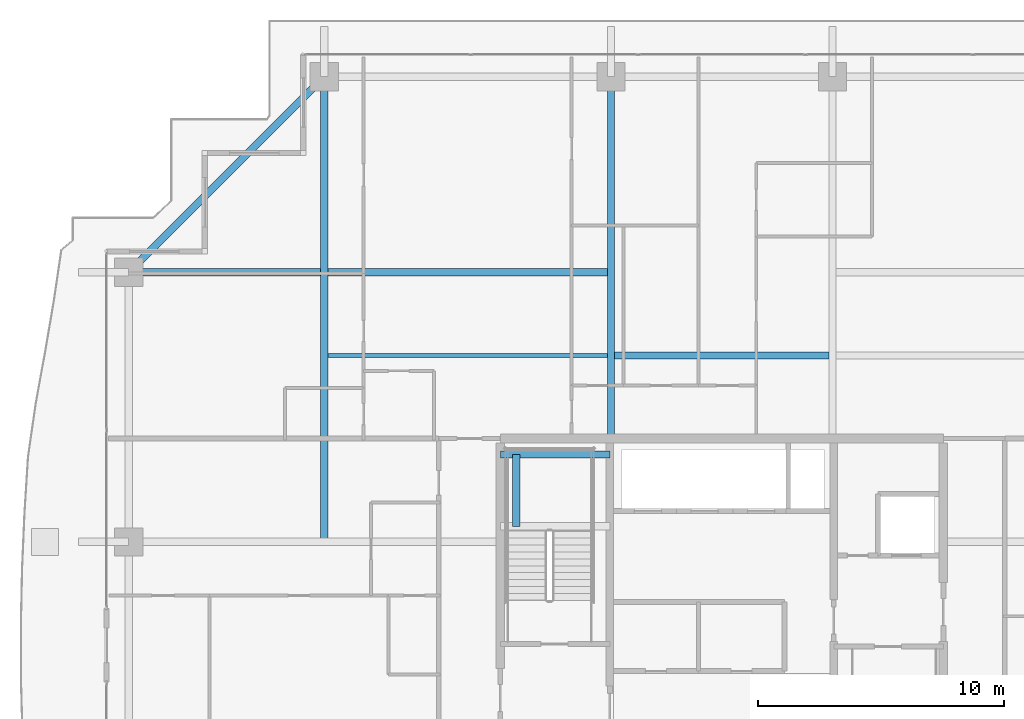
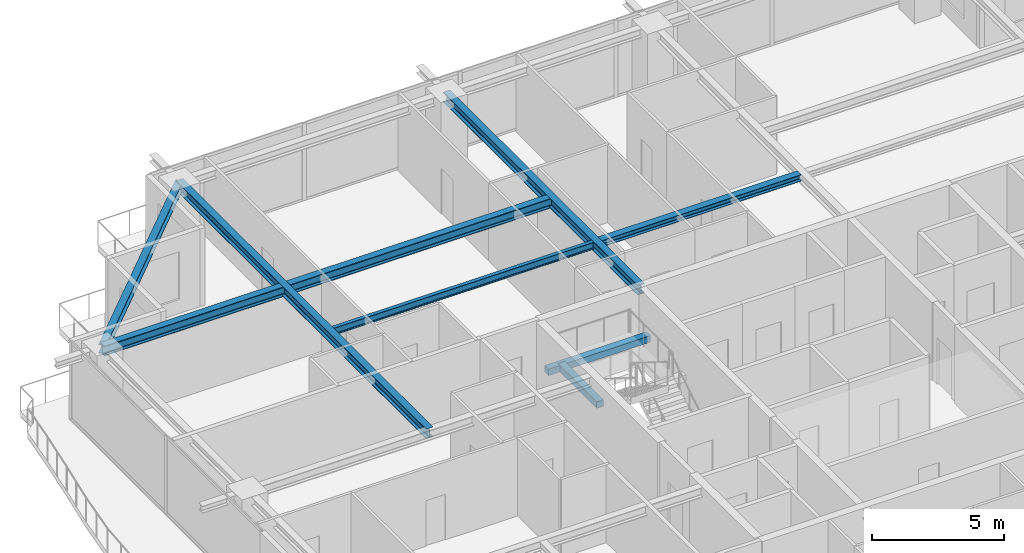
# One storey, part 18 of 36: 8 beams.
"""IFC4 building model written with IfcOpenShell, lengths in metres."""

from ifc_helpers import new_model, si_unit, direction, frame, origin, origin_2d, place, context, subcontext, project, spatial, rectangle, i_section, extrude, source, transform, mapped, material, material_profile, profile_set, type_object, element, save


model = new_model("IFC4")

# Units and contexts
model_context = context("Model", 3, precision=1e-05, world=origin(), true_north=direction((0.0, 1.0)))
body_context = subcontext(model_context, "Body", "Model", "MODEL_VIEW")
ifc_project = project(units=[si_unit("LENGTHUNIT", "METRE"), si_unit("AREAUNIT", "SQUARE_METRE"), si_unit("VOLUMEUNIT", "CUBIC_METRE"), si_unit("PLANEANGLEUNIT", "RADIAN"), si_unit("MASSUNIT", "GRAM", prefix="KILO")], contexts=[model_context])

# Site, building, storey
site_placement = place(None, origin())
site = spatial("IfcSite", under=ifc_project, at=site_placement, CompositionType="ELEMENT")
building_placement = place(site_placement, origin())
building = spatial("IfcBuilding", under=site, at=building_placement, Name="Serunith Strait Residences", CompositionType="ELEMENT")
storey_placement = place(building_placement, frame((0.0, 0.0, 225.85009765625)))
storey = spatial("IfcBuildingStorey", under=building, at=storey_placement, Name="L56", CompositionType="ELEMENT", Elevation=225.85009765625)

# Beams
ifc_material_1 = material(Name="Steel S355J2", Category="steel")
ifc_material_profile_1 = material_profile(ifc_material_1, i_section(OverallWidth=0.300048828125, OverallDepth=0.300048828125, WebThickness=0.010986328125, FlangeThickness=0.01904296875, FilletRadius=0.027099609375, at=origin_2d()), Name="HEB 300")
ifc_profile_set_1 = profile_set([ifc_material_profile_1], Name="Steel S355J2")
beam_type_1 = type_object("IfcBeamType", Name="BM-HEB300", PredefinedType="JOIST", material=ifc_profile_set_1)
shared_shape_1 = source(origin(), body_context, "Body", "SweptSolid", [
    extrude(i_section(OverallWidth=0.300048828125, OverallDepth=0.300048828125, WebThickness=0.010986328125, FlangeThickness=0.01904296875, FilletRadius=0.027099609375, at=origin_2d()), origin(), (0.0, 0.0, 1.0), 8.699951171875),
])
beam_1_placement = place(storey_placement, frame((28.050048828125, 36.97509765625, 3.43701171875), z_axis=(1.0, 0.0, 0.0), x_axis=(0.0, 1.0, 0.0)))
element("IfcBeam", 1, at=beam_1_placement, inside=storey, type_object=beam_type_1, Name="L56 Composite Floor Joist 05", PredefinedType="JOIST", context=body_context, shape_type="MappedRepresentation", body=[
    mapped(shared_shape_1, transform((0.0, 0.0, 0.0), scale=1.0)),
])
ifc_material_profile_2 = material_profile(ifc_material_1, i_section(OverallWidth=0.300048828125, OverallDepth=0.449951171875, WebThickness=0.013916015625, FlangeThickness=0.02587890625, FilletRadius=0.027099609375, at=origin_2d()), Name="HEB 450")
ifc_profile_set_2 = profile_set([ifc_material_profile_2], Name="Steel S355J2")
beam_type_2 = type_object("IfcBeamType", Name="BM-HEB450", PredefinedType="BEAM", material=ifc_profile_set_2)
shared_shape_2 = source(origin(), body_context, "Body", "SweptSolid", [
    extrude(i_section(OverallWidth=0.300048828125, OverallDepth=0.449951171875, WebThickness=0.013916015625, FlangeThickness=0.02587890625, FilletRadius=0.027099609375, at=origin_2d()), origin(), (0.0, 0.0, 1.0), 14.699951171875),
])
beam_2_placement = place(storey_placement, frame((27.89990234375, 33.60009765625, 3.36181640625), z_axis=(0.0, 1.0, 0.0), x_axis=(-1.0, 0.0, 0.0)))
element("IfcBeam", 2, at=beam_2_placement, inside=storey, type_object=beam_type_2, Name="L56 Primary Floor Girder TC-N2", PredefinedType="BEAM", context=body_context, shape_type="MappedRepresentation", body=[
    mapped(shared_shape_2, transform((0.0, 0.0, 0.0), scale=1.0)),
])
shared_shape_3 = source(origin(), body_context, "Body", "SweptSolid", [
    extrude(i_section(OverallWidth=0.300048828125, OverallDepth=0.449951171875, WebThickness=0.013916015625, FlangeThickness=0.02587890625, FilletRadius=0.027099609375, at=origin_2d()), origin(), (0.0, 0.0, 1.0), 18.900146484375),
])
beam_3_placement = place(storey_placement, frame((16.25, 29.39990234375, 3.36181640625), z_axis=(0.0, 1.0, 0.0), x_axis=(-1.0, 0.0, 0.0)))
element("IfcBeam", 3, at=beam_3_placement, inside=storey, type_object=beam_type_2, Name="L56 Orthogonal Corner Girder TC-N1", PredefinedType="BEAM", context=body_context, shape_type="MappedRepresentation", body=[
    mapped(shared_shape_3, transform((0.0, 0.0, 0.0), scale=1.0)),
])
shared_shape_4 = source(origin(), body_context, "Body", "SweptSolid", [
    extrude(i_section(OverallWidth=0.300048828125, OverallDepth=0.449951171875, WebThickness=0.013916015625, FlangeThickness=0.02587890625, FilletRadius=0.027099609375, at=origin_2d()), origin(), (0.0, 0.0, 1.0), 19.599853515625),
])
beam_4_placement = place(storey_placement, frame((27.89990234375, 40.35009765625, 3.36181640625), z_axis=(-1.0, 0.0, 0.0), x_axis=(0.0, -1.0, 0.0)))
element("IfcBeam", 4, at=beam_4_placement, inside=storey, type_object=beam_type_2, Name="L56 Orthogonal Corner Girder TC-W4", PredefinedType="BEAM", context=body_context, shape_type="MappedRepresentation", body=[
    mapped(shared_shape_4, transform((0.0, 0.0, 0.0), scale=1.0)),
])
ifc_material_profile_3 = material_profile(ifc_material_1, i_section(OverallWidth=0.300048828125, OverallDepth=0.39990234375, WebThickness=0.013427734375, FlangeThickness=0.02392578125, FilletRadius=0.027099609375, at=origin_2d()), Name="HEB 400")
ifc_profile_set_3 = profile_set([ifc_material_profile_3], Name="Steel S355J2")
beam_type_3 = type_object("IfcBeamType", Name="BM-HEB400", PredefinedType="BEAM", material=ifc_profile_set_3)
shared_shape_5 = source(origin(), body_context, "Body", "SweptSolid", [
    extrude(i_section(OverallWidth=0.300048828125, OverallDepth=0.39990234375, WebThickness=0.013427734375, FlangeThickness=0.02392578125, FilletRadius=0.027099609375, at=origin_2d()), origin(), (0.0, 0.0, 1.0), 11.242919921875),
])
beam_5_placement = place(storey_placement, frame((16.25, 48.300048828125, 3.35693359375), z_axis=(-0.707106781187, -0.707106781187, 0.0), x_axis=(0.707106781187, -0.707106781187, 0.0)))
element("IfcBeam", 5, at=beam_5_placement, inside=storey, type_object=beam_type_3, Name="L56 Perimeter Ring Beam 12", PredefinedType="BEAM", context=body_context, shape_type="MappedRepresentation", body=[
    mapped(shared_shape_5, transform((0.0, 0.0, 0.0), scale=1.0)),
])
ifc_material_profile_4 = material_profile(ifc_material_1, i_section(OverallWidth=0.159912109375, OverallDepth=0.330078125, WebThickness=0.007568359375, FlangeThickness=0.011474609375, FilletRadius=0.01806640625, at=origin_2d()), Name="IPE 330")
ifc_profile_set_4 = profile_set([ifc_material_profile_4], Name="Steel S355J2")
beam_type_4 = type_object("IfcBeamType", Name="BM-IPE330", PredefinedType="JOIST", material=ifc_profile_set_4)
shared_shape_6 = source(origin(), body_context, "Body", "SweptSolid", [
    extrude(i_section(OverallWidth=0.159912109375, OverallDepth=0.330078125, WebThickness=0.007568359375, FlangeThickness=0.011474609375, FilletRadius=0.01806640625, at=origin_2d()), origin(), (0.0, 0.0, 1.0), 11.35009765625),
])
beam_6_placement = place(storey_placement, frame((16.39990234375, 36.97509765625, 3.421875), z_axis=(1.0, 0.0, 0.0), x_axis=(0.0, 1.0, 0.0)))
element("IfcBeam", 6, at=beam_6_placement, inside=storey, type_object=beam_type_4, Name="L56 Composite Floor Joist 04", PredefinedType="JOIST", context=body_context, shape_type="MappedRepresentation", body=[
    mapped(shared_shape_6, transform((0.0, 0.0, 0.0), scale=1.0)),
])
ifc_material_2 = material(Name="Concrete C60/75", Category="concrete")
ifc_material_profile_5 = material_profile(ifc_material_2, rectangle(XDim=0.300048828125, YDim=0.300048828125, at=origin_2d()), Name="RC 300x300")
ifc_profile_set_5 = profile_set([ifc_material_profile_5], Name="Concrete C60/75")
beam_type_5 = type_object("IfcBeamType", Name="BM-LAND-300x300", PredefinedType="BEAM", material=ifc_profile_set_5)
shared_shape_7 = source(origin(), body_context, "Body", "SweptSolid", [
    extrude(rectangle(XDim=0.300048828125, YDim=0.300048828125, at=origin_2d()), origin(), (0.0, 0.0, 1.0), 4.4501953125),
])
beam_7_placement = place(storey_placement, frame((23.39990234375, 32.949951171875, 1.574951171875), z_axis=(1.0, 0.0, 0.0), x_axis=(0.0, 1.0, 0.0)))
element("IfcBeam", 7, at=beam_7_placement, inside=storey, type_object=beam_type_5, Name="L56 ST-1 Landing Support Beam 2", PredefinedType="BEAM", context=body_context, shape_type="MappedRepresentation", body=[
    mapped(shared_shape_7, transform((0.0, 0.0, 0.0), scale=1.0)),
])
shared_shape_8 = source(origin(), body_context, "Body", "SweptSolid", [
    extrude(rectangle(XDim=0.300048828125, YDim=0.300048828125, at=origin_2d()), origin(), (0.0, 0.0, 1.0), 2.919921875),
])
beam_8_placement = place(storey_placement, frame((24.050048828125, 30.030029296875, 1.574951171875), z_axis=(0.0, 1.0, 0.0), x_axis=(-1.0, 0.0, 0.0)))
element("IfcBeam", 8, at=beam_8_placement, inside=storey, type_object=beam_type_5, Name="L56 ST-1 Landing Transverse Tie Beam", PredefinedType="BEAM", context=body_context, shape_type="MappedRepresentation", body=[
    mapped(shared_shape_8, transform((0.0, 0.0, 0.0), scale=1.0)),
])

save(model, "model.ifc")
